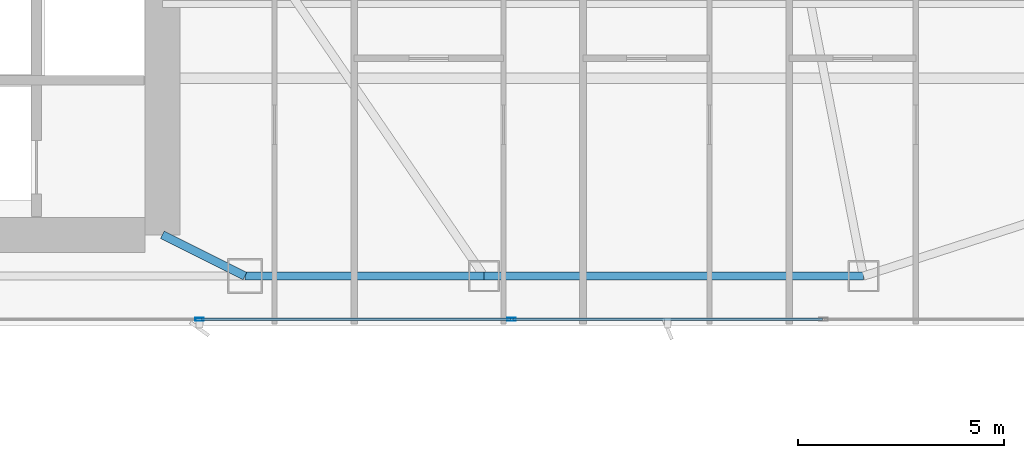
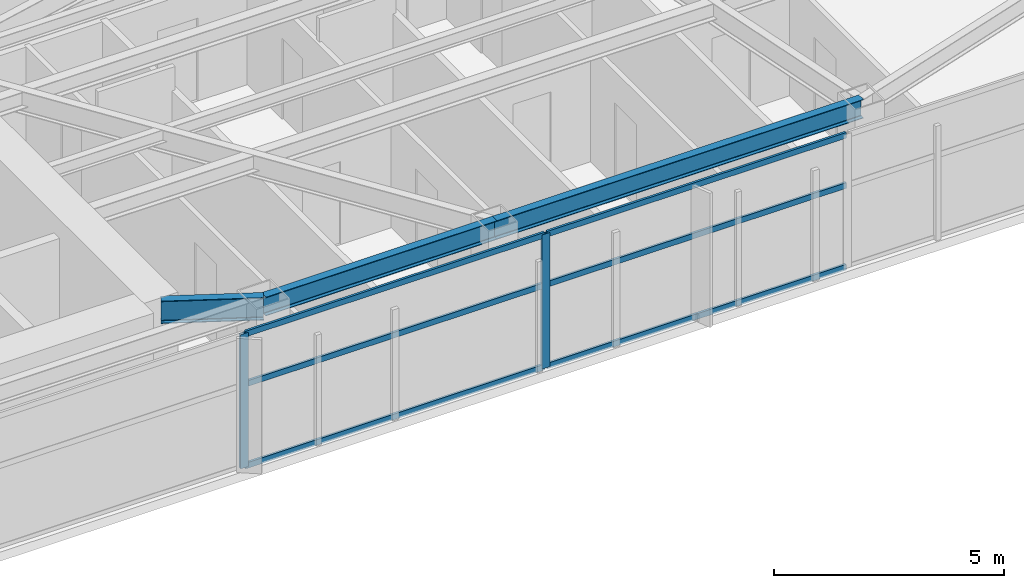
# One storey, part 12 of 29: 8 members, 3 beams, 1 element without a shape of its own.
"""IFC4 building model written with IfcOpenShell, lengths in metres."""

import ifcopenshell
import ifcopenshell.guid

model = None  # the IFC model being written
_history = None  # IfcOwnerHistory: only IFC2X3 demands one
_inside = {}  # id of a spatial element -> (the spatial element, [elements in it])
_under = {}  # id of a project, library or spatial element -> (it, [spatial elements below it])
_declared = {}  # id of a project -> (the project, [libraries it declares])
_typed = {}  # id of a type object -> (the type object, [elements of that type])
_made_of = {}  # id of a material, layer set ... -> (it, [elements and type objects made of it])


def new_model(schema):
    """Start an empty IFC model of exactly this schema.

    Asked for "IFC4X3", IfcOpenShell would pick the latest addendum, in which some entities
    have other attributes; the version numbers below select the first issue.
    IFC2X3 requires an IfcOwnerHistory on every rooted entity: one is made here for all.
    """
    global model, _history
    if schema == "IFC4X3":
        model = ifcopenshell.file(schema_version=(4, 3, 0, 0))
    else:
        model = ifcopenshell.file(schema=schema)
    _inside.clear()
    _under.clear()
    _declared.clear()
    _typed.clear()
    _made_of.clear()
    _history = None
    if model.schema == "IFC2X3":
        org = make("IfcOrganization", Name="unknown")
        user = make(
            "IfcPersonAndOrganization",
            ThePerson=make("IfcPerson", FamilyName="unknown"),
            TheOrganization=org,
        )
        app = make(
            "IfcApplication",
            ApplicationDeveloper=org,
            Version="unknown",
            ApplicationFullName="unknown",
            ApplicationIdentifier="unknown",
        )
        _history = make(
            "IfcOwnerHistory",
            OwningUser=user,
            OwningApplication=app,
            ChangeAction="ADDED",
            CreationDate=0,
        )
    return model


def make(cls, **values):
    """One entity of the class cls with the attributes given. An attribute that is None is left unset."""
    return model.create_entity(
        cls, **{name: value for name, value in values.items() if value is not None}
    )


def rooted(cls, **values):
    """An entity with a GlobalId (a new one), such as an element, a storey or a relation."""
    return make(cls, GlobalId=ifcopenshell.guid.new(), OwnerHistory=_history, **values)


def si_unit(unit_type, name, prefix=None):
    """IfcSIUnit, for example si_unit("LENGTHUNIT", "METRE", prefix="MILLI")."""
    return make("IfcSIUnit", UnitType=unit_type, Prefix=prefix, Name=name)


def assignment(units):
    """IfcUnitAssignment: the units of a project."""
    return None if units is None else make("IfcUnitAssignment", Units=units)


def point(xyz):
    """IfcCartesianPoint."""
    return None if xyz is None else make("IfcCartesianPoint", Coordinates=xyz)


def direction(xyz):
    """IfcDirection."""
    return None if xyz is None else make("IfcDirection", DirectionRatios=xyz)


def frame(location, z_axis=None, x_axis=None):
    """IfcAxis2Placement3D, a coordinate frame: its origin and axes. An axis left out is left unset."""
    return make(
        "IfcAxis2Placement3D",
        Location=point(location),
        Axis=direction(z_axis),
        RefDirection=direction(x_axis),
    )


def frame_2d(location, x_axis=None):
    """IfcAxis2Placement2D, a coordinate frame in the plane: its origin and x axis."""
    return make(
        "IfcAxis2Placement2D", Location=point(location), RefDirection=direction(x_axis)
    )


def origin():
    """The frame at (0, 0, 0) with its axes left unset."""
    return frame((0.0, 0.0, 0.0))


def origin_2d():
    """The frame at (0, 0) in the plane with its x axis left unset."""
    return frame_2d((0.0, 0.0))


def place(relative_to, where):
    """IfcLocalPlacement: puts the frame where relative to a parent placement (None: the world)."""
    return make(
        "IfcLocalPlacement", PlacementRelTo=relative_to, RelativePlacement=where
    )


def context(
    kind, dimensions, precision=None, world=None, true_north=None, identifier=None
):
    """IfcGeometricRepresentationContext, for example the 3D "Model" context."""
    return make(
        "IfcGeometricRepresentationContext",
        ContextIdentifier=identifier,
        ContextType=kind,
        CoordinateSpaceDimension=dimensions,
        Precision=precision,
        WorldCoordinateSystem=world,
        TrueNorth=true_north,
    )


def subcontext(parent, identifier, kind, view, scale=None):
    """IfcGeometricRepresentationSubContext, for example "Body" below "Model"."""
    return make(
        "IfcGeometricRepresentationSubContext",
        ContextIdentifier=identifier,
        ContextType=kind,
        ParentContext=parent,
        TargetScale=scale,
        TargetView=view,
    )


def project(units=None, contexts=None):
    """IfcProject with its units and contexts."""
    return rooted(
        "IfcProject",
        Name="project",
        RepresentationContexts=contexts,
        UnitsInContext=assignment(units),
    )


def spatial(cls, under=None, at=None, **own):
    """A site, building, storey or space (cls), placed at a placement, below another one or the project."""
    s = rooted(cls, ObjectPlacement=at, **own)
    if under is not None:
        _under.setdefault(under.id(), (under, []))[1].append(s)
    return s


def profile(cls, at=None, kind="AREA", **sizes):
    """A parametric profile (cls). Its sizes go by their IFC names, for example OverallWidth=200.0."""
    return make(cls, ProfileType=kind, Position=at, **sizes)


def hollow_rectangle(**sizes):
    """IfcRectangleHollowProfileDef."""
    return profile("IfcRectangleHollowProfileDef", **sizes)


def i_section(**sizes):
    """IfcIShapeProfileDef."""
    return profile("IfcIShapeProfileDef", **sizes)


def extrude(swept, where, along, depth):
    """IfcExtrudedAreaSolid: the profile swept, set in the frame where, extruded along a direction by depth."""
    return make(
        "IfcExtrudedAreaSolid",
        SweptArea=swept,
        Position=where,
        ExtrudedDirection=direction(along),
        Depth=depth,
    )


def shape(context_of_items, identifier, shape_type, items):
    """IfcShapeRepresentation: the items that make up one representation, for example the "Body"."""
    return make(
        "IfcShapeRepresentation",
        ContextOfItems=context_of_items,
        RepresentationIdentifier=identifier,
        RepresentationType=shape_type,
        Items=items,
    )


def material(Name=None, Category=None):
    """IfcMaterial."""
    return make("IfcMaterial", Name=Name, Category=Category)


def layer(
    of_material, thickness, ventilated=None, Name=None, Category=None, Priority=None
):
    """IfcMaterialLayer: one layer of a wall or slab, of a material (None: an air gap)."""
    return make(
        "IfcMaterialLayer",
        Material=of_material,
        LayerThickness=thickness,
        IsVentilated=ventilated,
        Name=Name,
        Category=Category,
        Priority=Priority,
    )


def layer_set(layers, Name=None):
    """IfcMaterialLayerSet."""
    return make("IfcMaterialLayerSet", MaterialLayers=layers, LayerSetName=Name)


def material_profile(
    of_material, cross_section, Name=None, Category=None, Priority=None
):
    """IfcMaterialProfile: a cross section and its material."""
    return make(
        "IfcMaterialProfile",
        Name=Name,
        Material=of_material,
        Profile=cross_section,
        Priority=Priority,
        Category=Category,
    )


def profile_set(profiles, Name=None, composite=None):
    """IfcMaterialProfileSet."""
    return make(
        "IfcMaterialProfileSet",
        Name=Name,
        MaterialProfiles=profiles,
        CompositeProfile=composite,
    )


def made_of(thing, what):
    """Note that an element or type object is made of a material, layer set ...; save() writes the relation."""
    if what is not None:
        _made_of.setdefault(what.id(), (what, []))[1].append(thing)
    return thing


def type_object(cls, material=None, **own):
    """A type object (cls), such as IfcWallType, which elements share."""
    return made_of(rooted(cls, **own), material)


def element(
    cls,
    number,
    at=None,
    inside=None,
    cuts=None,
    type_object=None,
    material=None,
    context=None,
    identifier="Body",
    shape_type=None,
    held_by="IfcProductDefinitionShape",
    body=None,
    shapes=None,
    **own,
):
    """One element of the class cls, such as IfcWall. Its Tag is "e" and its number.

    at: its placement. inside: the storey or other place that contains it. cuts: it is an
    opening in that element (IfcRelVoidsElement). A single representation is given by context,
    identifier, shape_type and body (its items); several are given by shapes. held_by: the class
    of the entity that holds the representations. save() writes the other relations.
    """
    e = rooted(cls, Tag="e%d" % number, ObjectPlacement=at, **own)
    if body is not None:
        shapes = [shape(context, identifier, shape_type, body)]
    if shapes is not None:
        e.Representation = make(held_by, Representations=shapes)
    if inside is not None:
        _inside.setdefault(inside.id(), (inside, []))[1].append(e)
    if cuts is not None:
        rooted(
            "IfcRelVoidsElement", RelatingBuildingElement=cuts, RelatedOpeningElement=e
        )
    if type_object is not None:
        _typed.setdefault(type_object.id(), (type_object, []))[1].append(e)
    return made_of(e, material)


def aggregate(whole, parts):
    """IfcRelAggregates: a whole, such as a stair, and the parts it consists of."""
    return rooted("IfcRelAggregates", RelatingObject=whole, RelatedObjects=parts)


def save(model, path):
    """Write the relations noted so far, then the file.

    IfcRelAggregates (storeys below a building ...), IfcRelContainedInSpatialStructure (elements
    in a storey), IfcRelDefinesByType, IfcRelAssociatesMaterial and IfcRelDeclares: one each for
    every whole, place, type object, material and project.
    """
    for whole, parts in _under.values():
        aggregate(whole, parts)
    for where, things in _inside.values():
        rooted(
            "IfcRelContainedInSpatialStructure",
            RelatedElements=things,
            RelatingStructure=where,
        )
    for kind, things in _typed.values():
        rooted("IfcRelDefinesByType", RelatedObjects=things, RelatingType=kind)
    for what, things in _made_of.values():
        rooted("IfcRelAssociatesMaterial", RelatedObjects=things, RelatingMaterial=what)
    for by, libraries in _declared.values():
        rooted("IfcRelDeclares", RelatingContext=by, RelatedDefinitions=libraries)
    model.write(path)


model = new_model("IFC4")

# Units and contexts
model_context = context("Model", 3, precision=1e-05, world=origin(), true_north=direction((0.0, 1.0)))
body_context = subcontext(model_context, "Body", "Model", "MODEL_VIEW")
ifc_project = project(units=[si_unit("LENGTHUNIT", "METRE"), si_unit("AREAUNIT", "SQUARE_METRE"), si_unit("VOLUMEUNIT", "CUBIC_METRE"), si_unit("PLANEANGLEUNIT", "RADIAN"), si_unit("MASSUNIT", "GRAM", prefix="KILO")], contexts=[model_context])

# Site, building, storey
site_placement = place(None, origin())
site = spatial("IfcSite", under=ifc_project, at=site_placement, CompositionType="ELEMENT")
building_placement = place(site_placement, origin())
building = spatial("IfcBuilding", under=site, at=building_placement, Name="Calvorn Quay Hotel", CompositionType="ELEMENT")
storey_placement = place(building_placement, frame((0.0, 0.0, 167.5)))
storey = spatial("IfcBuildingStorey", under=building, at=storey_placement, Name="L41", CompositionType="ELEMENT", Elevation=167.5)

# Beams
ifc_material_1 = material(Name="Steel Q355B", Category="steel")
ifc_material_profile_1 = material_profile(ifc_material_1, i_section(OverallWidth=0.199951171875, OverallDepth=0.60009765625, WebThickness=0.010986328125, FlangeThickness=0.01708984375, FilletRadius=0.01806640625, at=origin_2d()), Name="HN600x200x11x17")
ifc_profile_set_1 = profile_set([ifc_material_profile_1], Name="Steel Q355B")
beam_type_1 = type_object("IfcBeamType", Name="BM-GIRD-TYP", PredefinedType="BEAM", material=ifc_profile_set_1)
beam_1_placement = place(storey_placement, frame((34.39990234375, 3.60009765625, 3.239990234375), z_axis=(-0.894427191, 0.4472135955, 0.0), x_axis=(-0.4472135955, -0.894427191, 0.0)))
element("IfcBeam", 1, at=beam_1_placement, inside=storey, type_object=beam_type_1, Name="Beam BG-L41-S3", PredefinedType="BEAM", context=body_context, shape_type="SweptSolid", body=[
    extrude(i_section(OverallWidth=0.199951171875, OverallDepth=0.60009765625, WebThickness=0.010986328125, FlangeThickness=0.01708984375, FilletRadius=0.01806640625, at=origin_2d()), origin(), (0.0, 0.0, 1.0), 2.236083984375),
])
ifc_material_2 = material(Name="Steel Q355B", Category="steel")
ifc_material_profile_2 = material_profile(ifc_material_2, i_section(OverallWidth=0.199951171875, OverallDepth=0.5, WebThickness=0.010009765625, FlangeThickness=0.01611328125, FilletRadius=0.01611328125, at=origin_2d()), Name="HN500x200x10x16")
ifc_profile_set_2 = profile_set([ifc_material_profile_2], Name="Steel Q355B")
beam_type_2 = type_object("IfcBeamType", Name="BM-SPANDREL-Z1", PredefinedType="SPANDREL", material=ifc_profile_set_2)
beam_2_placement = place(storey_placement, frame((34.39990234375, 3.60009765625, 3.2900390625), z_axis=(1.0, 0.0, 0.0), x_axis=(0.0, 1.0, 0.0)))
element("IfcBeam", 2, at=beam_2_placement, inside=storey, type_object=beam_type_2, Name="Beam BSP-L41-S4", PredefinedType="SPANDREL", context=body_context, shape_type="SweptSolid", body=[
    extrude(i_section(OverallWidth=0.199951171875, OverallDepth=0.5, WebThickness=0.010009765625, FlangeThickness=0.01611328125, FilletRadius=0.01611328125, at=origin_2d()), origin(), (0.0, 0.0, 1.0), 5.800048828125),
])
beam_3_placement = place(storey_placement, frame((40.199951171875, 3.60009765625, 3.2900390625), z_axis=(1.0, 0.0, 0.0), x_axis=(0.0, 1.0, 0.0)))
element("IfcBeam", 3, at=beam_3_placement, inside=storey, type_object=beam_type_2, Name="Beam BSP-L41-S5", PredefinedType="SPANDREL", context=body_context, shape_type="SweptSolid", body=[
    extrude(i_section(OverallWidth=0.199951171875, OverallDepth=0.5, WebThickness=0.010009765625, FlangeThickness=0.01611328125, FilletRadius=0.01611328125, at=origin_2d()), origin(), (0.0, 0.0, 1.0), 9.199951171875),
])

# Curtain wall, members
ifc_material_3 = material(Name="Pale Anodised Aluminium and Low-E Glass", Category="aluminium")
ifc_layer = layer(ifc_material_3, 0.219970703125)
ifc_layer_set = layer_set([ifc_layer], Name="CW-SYS-Z2")
curtain_wall_type = type_object("IfcCurtainWallType", Name="CW-SYS-Z2", PredefinedType="NOTDEFINED", material=ifc_layer_set)
curtain_wall_placement = place(storey_placement, origin())
curtain_wall = element("IfcCurtainWall", 4, at=curtain_wall_placement, inside=storey, type_object=curtain_wall_type, Name="Tower South Waterfront Curtain Wall (L41)", PredefinedType="NOTDEFINED")
ifc_material_4 = material(Name="Pale Anodised Aluminium 6063-T6", Category="aluminium")
ifc_material_profile_3 = material_profile(ifc_material_4, hollow_rectangle(XDim=0.070068359375, YDim=0.199951171875, WallThickness=0.00390625, at=origin_2d()), Name="ALU-M200x70x4")
ifc_profile_set_3 = profile_set([ifc_material_profile_3], Name="Pale Anodised Aluminium 6063-T6")
member_type_1 = type_object("IfcMemberType", Name="CW-SYS-Z2-MUL", PredefinedType="MULLION", material=ifc_profile_set_3)
member_1_placement = place(storey_placement, frame((33.300048828125, 2.550048828125, 0.0), z_axis=(0.0, 0.0, 1.0), x_axis=(0.0, 1.0, 0.0)))
member_1 = element("IfcMember", 5, at=member_1_placement, type_object=member_type_1, Name="CW-L41-S mullion 4", PredefinedType="MULLION", context=body_context, shape_type="SweptSolid", body=[
    extrude(hollow_rectangle(XDim=0.070068359375, YDim=0.199951171875, WallThickness=0.00390625, at=origin_2d()), origin(), (0.0, 0.0, 1.0), 3.56005859375),
])
member_2_placement = place(storey_placement, frame((40.86669921875, 2.550048828125, 0.0), z_axis=(0.0, 0.0, 1.0), x_axis=(0.0, 1.0, 0.0)))
member_2 = element("IfcMember", 6, at=member_2_placement, type_object=member_type_1, Name="CW-L41-S mullion 5", PredefinedType="MULLION", context=body_context, shape_type="SweptSolid", body=[
    extrude(hollow_rectangle(XDim=0.070068359375, YDim=0.199951171875, WallThickness=0.00390625, at=origin_2d()), origin(), (0.0, 0.0, 1.0), 3.56005859375),
])
ifc_material_5 = material(Name="Pale Anodised Aluminium 6063-T6", Category="aluminium")
ifc_material_profile_4 = material_profile(ifc_material_5, hollow_rectangle(XDim=0.06005859375, YDim=0.14990234375, WallThickness=0.00341796875, at=origin_2d()), Name="ALU-T150x60x3.5")
ifc_profile_set_4 = profile_set([ifc_material_profile_4], Name="Pale Anodised Aluminium 6063-T6")
member_type_2 = type_object("IfcMemberType", Name="CW-SYS-Z2-TRN", PredefinedType="USERDEFINED", material=ifc_profile_set_4)
member_3_placement = place(storey_placement, frame((33.330078125, 2.550048828125, 0.030029296875), z_axis=(1.0, 0.0, 0.0), x_axis=(0.0, 1.0, 0.0)))
member_3 = element("IfcMember", 7, at=member_3_placement, type_object=member_type_2, Name="CW-L41-S transom 4.1", ObjectType="TRANSOM", PredefinedType="USERDEFINED", context=body_context, shape_type="SweptSolid", body=[
    extrude(hollow_rectangle(XDim=0.06005859375, YDim=0.14990234375, WallThickness=0.00341796875, at=origin_2d()), origin(), (0.0, 0.0, 1.0), 7.506591796875),
])
member_4_placement = place(storey_placement, frame((33.330078125, 2.550048828125, 2.199951171875), z_axis=(1.0, 0.0, 0.0), x_axis=(0.0, 1.0, 0.0)))
member_4 = element("IfcMember", 8, at=member_4_placement, type_object=member_type_2, Name="CW-L41-S transom 4.2", ObjectType="TRANSOM", PredefinedType="USERDEFINED", context=body_context, shape_type="SweptSolid", body=[
    extrude(hollow_rectangle(XDim=0.06005859375, YDim=0.14990234375, WallThickness=0.00341796875, at=origin_2d()), origin(), (0.0, 0.0, 1.0), 7.506591796875),
])
member_5_placement = place(storey_placement, frame((33.330078125, 2.550048828125, 3.530029296875), z_axis=(1.0, 0.0, 0.0), x_axis=(0.0, 1.0, 0.0)))
member_5 = element("IfcMember", 9, at=member_5_placement, type_object=member_type_2, Name="CW-L41-S transom 4.3", ObjectType="TRANSOM", PredefinedType="USERDEFINED", context=body_context, shape_type="SweptSolid", body=[
    extrude(hollow_rectangle(XDim=0.06005859375, YDim=0.14990234375, WallThickness=0.00341796875, at=origin_2d()), origin(), (0.0, 0.0, 1.0), 7.506591796875),
])
member_6_placement = place(storey_placement, frame((40.896728515625, 2.550048828125, 0.030029296875), z_axis=(1.0, 0.0, 0.0), x_axis=(0.0, 1.0, 0.0)))
member_6 = element("IfcMember", 10, at=member_6_placement, type_object=member_type_2, Name="CW-L41-S transom 5.1", ObjectType="TRANSOM", PredefinedType="USERDEFINED", context=body_context, shape_type="SweptSolid", body=[
    extrude(hollow_rectangle(XDim=0.06005859375, YDim=0.14990234375, WallThickness=0.00341796875, at=origin_2d()), origin(), (0.0, 0.0, 1.0), 7.506591796875),
])
member_7_placement = place(storey_placement, frame((40.896728515625, 2.550048828125, 2.199951171875), z_axis=(1.0, 0.0, 0.0), x_axis=(0.0, 1.0, 0.0)))
member_7 = element("IfcMember", 11, at=member_7_placement, type_object=member_type_2, Name="CW-L41-S transom 5.2", ObjectType="TRANSOM", PredefinedType="USERDEFINED", context=body_context, shape_type="SweptSolid", body=[
    extrude(hollow_rectangle(XDim=0.06005859375, YDim=0.14990234375, WallThickness=0.00341796875, at=origin_2d()), origin(), (0.0, 0.0, 1.0), 7.506591796875),
])
member_8_placement = place(storey_placement, frame((40.896728515625, 2.550048828125, 3.530029296875), z_axis=(1.0, 0.0, 0.0), x_axis=(0.0, 1.0, 0.0)))
member_8 = element("IfcMember", 12, at=member_8_placement, type_object=member_type_2, Name="CW-L41-S transom 5.3", ObjectType="TRANSOM", PredefinedType="USERDEFINED", context=body_context, shape_type="SweptSolid", body=[
    extrude(hollow_rectangle(XDim=0.06005859375, YDim=0.14990234375, WallThickness=0.00341796875, at=origin_2d()), origin(), (0.0, 0.0, 1.0), 7.506591796875),
])
aggregate(curtain_wall, [member_1, member_2, member_3, member_4, member_5, member_6, member_7, member_8])

save(model, "model.ifc")
